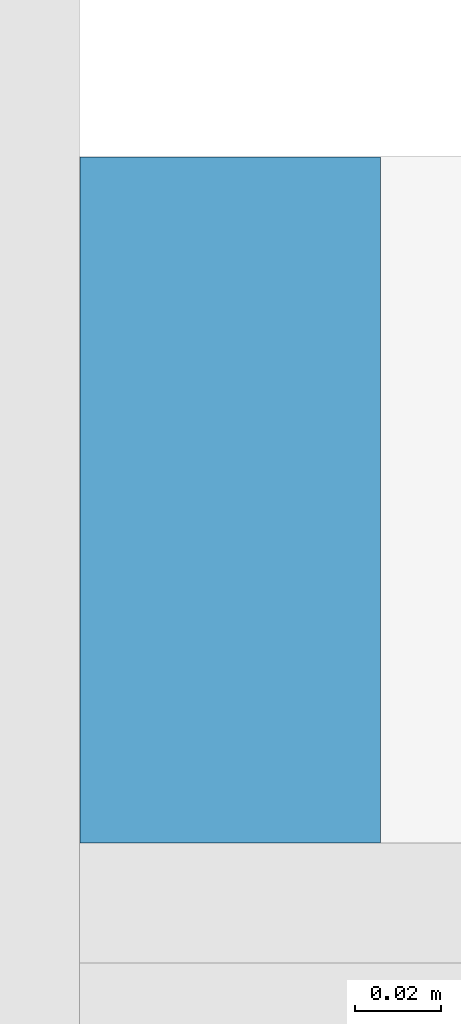
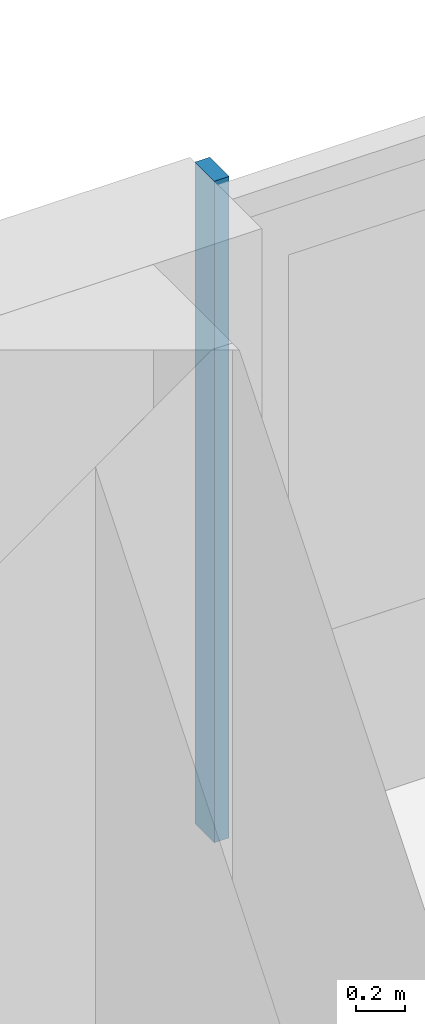
# One storey, part 9 of 28: 1 member, 1 element without a shape of its own.
"""IFC4 building model written with IfcOpenShell, lengths in metres."""

from ifc_helpers import new_model, si_unit, direction, frame, origin, origin_2d, place, context, subcontext, project, spatial, rectangle, extrude, material, material_profile, profile_set, type_object, element, aggregate, save


model = new_model("IFC4")

# Units and contexts
model_context = context("Model", 3, precision=1e-05, world=origin(), true_north=direction((0.0, 1.0)))
body_context = subcontext(model_context, "Body", "Model", "MODEL_VIEW")
ifc_project = project(units=[si_unit("LENGTHUNIT", "METRE"), si_unit("AREAUNIT", "SQUARE_METRE"), si_unit("VOLUMEUNIT", "CUBIC_METRE"), si_unit("PLANEANGLEUNIT", "RADIAN"), si_unit("MASSUNIT", "GRAM", prefix="KILO")], contexts=[model_context])

# Site, building, storey
site_placement = place(None, origin())
site = spatial("IfcSite", under=ifc_project, at=site_placement, CompositionType="ELEMENT")
building_placement = place(site_placement, origin())
building = spatial("IfcBuilding", under=site, at=building_placement, Name="Saffron Gate Tower", CompositionType="ELEMENT")
storey_placement = place(building_placement, frame((0.0, 0.0, 241.5)))
storey = spatial("IfcBuildingStorey", under=building, at=storey_placement, Name="L59", CompositionType="ELEMENT", Elevation=241.5)

# Curtain wall, member
ifc_material = material(Name="Aluminium, bronze anodised", Category="aluminium")
curtain_wall_type = type_object("IfcCurtainWallType", Name="CWS3 curtain wall rear facade", PredefinedType="NOTDEFINED", material=ifc_material)
curtain_wall_placement = place(storey_placement, origin())
curtain_wall = element("IfcCurtainWall", 1, at=curtain_wall_placement, inside=storey, type_object=curtain_wall_type, Name="CWS3 run 7", PredefinedType="NOTDEFINED")
ifc_material_profile = material_profile(ifc_material, rectangle(XDim=0.159912109375, YDim=0.070068359375, at=origin_2d()))
ifc_profile_set = profile_set([ifc_material_profile], Name="Aluminium, bronze anodised")
member_type = type_object("IfcMemberType", Name="CWS3 mullion 70x160", PredefinedType="MULLION", material=ifc_profile_set)
member_placement = place(storey_placement, frame((108.60009765625, 75.52001953125, 0.0), z_axis=(0.0, 0.0, 1.0), x_axis=(0.0, -1.0, 0.0)))
member = element("IfcMember", 2, at=member_placement, type_object=member_type, Name="CWS3 mullion 3", PredefinedType="MULLION", context=body_context, shape_type="SweptSolid", body=[
    extrude(rectangle(XDim=0.159912109375, YDim=0.070068359375, at=origin_2d()), origin(), (0.0, 0.0, 1.0), 3.320068359375),
])
aggregate(curtain_wall, [member])

save(model, "model.ifc")
